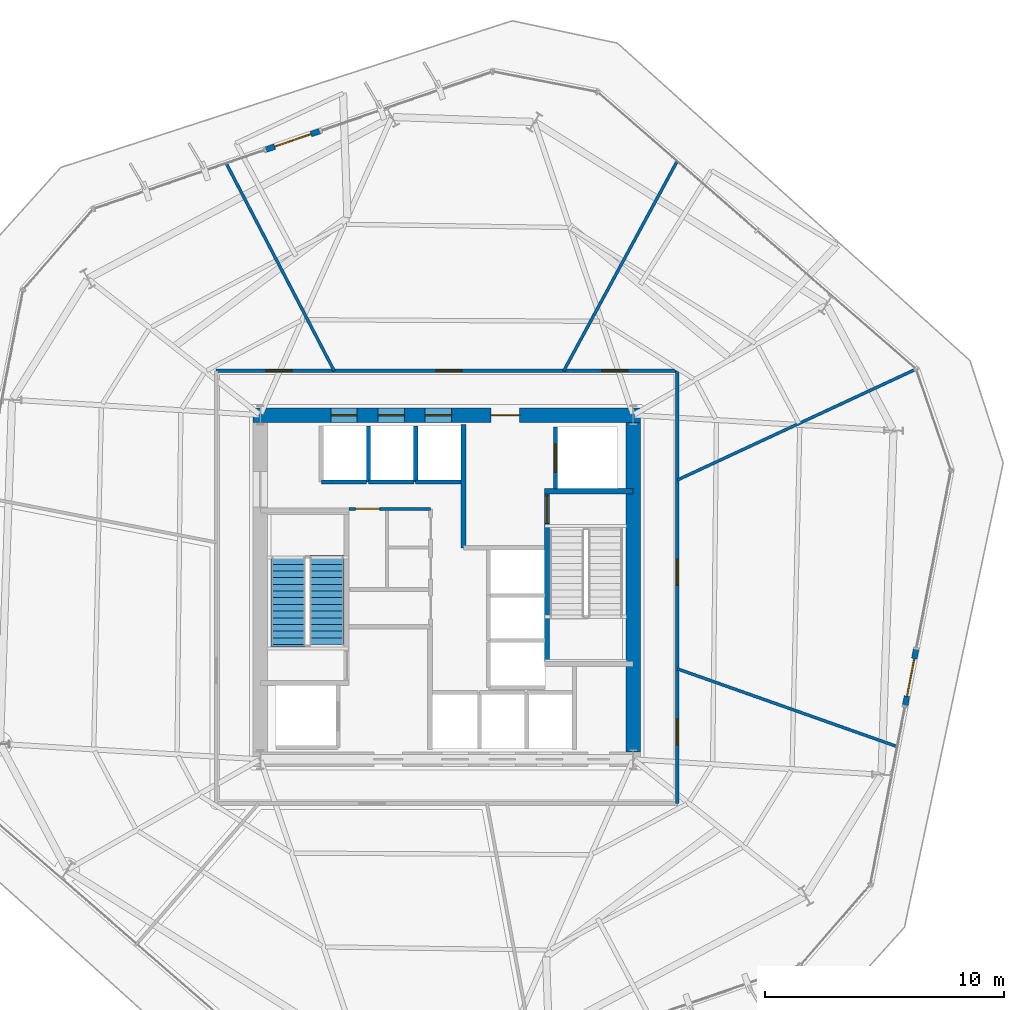
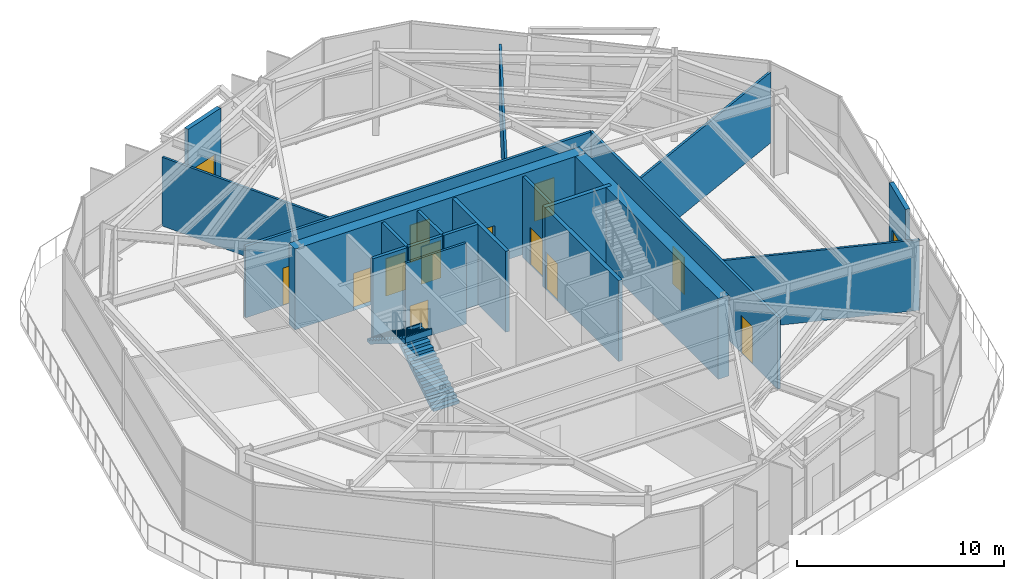
# One storey, part 10 of 16: 20 walls, 14 doors, 2 stair flights, 14 openings, 1 element without a shape of its own.
"""IFC4 building model written with IfcOpenShell, lengths in metres."""

from ifc_helpers import new_model, si_unit, direction, frame, frame_2d, origin, place, context, subcontext, project, spatial, polyline, rectangle, outline, extrude, material, layer, layer_set, type_object, element, fill, aggregate, save


model = new_model("IFC4")

# Units and contexts
model_context = context("Model", 3, precision=1e-05, world=origin(), true_north=direction((0.0, 1.0)))
body_context = subcontext(model_context, "Body", "Model", "MODEL_VIEW")
ifc_project = project(units=[si_unit("LENGTHUNIT", "METRE"), si_unit("AREAUNIT", "SQUARE_METRE"), si_unit("VOLUMEUNIT", "CUBIC_METRE"), si_unit("PLANEANGLEUNIT", "RADIAN"), si_unit("MASSUNIT", "GRAM", prefix="KILO")], contexts=[model_context])

# Site, building, storey
site_placement = place(None, origin())
site = spatial("IfcSite", under=ifc_project, at=site_placement, CompositionType="ELEMENT")
building_placement = place(site_placement, origin())
building = spatial("IfcBuilding", under=site, at=building_placement, Name="Kranzbogen Civic Tower", CompositionType="ELEMENT")
storey_placement = place(building_placement, frame((0.0, 0.0, 97.39990234375)))
storey = spatial("IfcBuildingStorey", under=building, at=storey_placement, Name="L23", CompositionType="ELEMENT", Elevation=97.39990234375)

# Wall, openings, doors
ifc_material_1 = material(Name="Double-Stud Acoustic Gypsum Partition")
ifc_layer_1 = layer(ifc_material_1, 0.14990234375, Name="Double-Stud Acoustic Gypsum Partition")
ifc_layer_set_1 = layer_set([ifc_layer_1], Name="Double-Stud Acoustic Gypsum Partition")
wall_type_1 = type_object("IfcWallType", Name="Acoustic Corridor and Clinical Partition 150 mm", PredefinedType="PARTITIONING", material=ifc_layer_set_1)
wall_1_placement = place(storey_placement, frame((15.35009765625, 34.050048828125, 0.0), z_axis=(0.0, 0.0, 1.0), x_axis=(1.0, 0.0, 0.0)))
wall_1 = element("IfcWall", 1, at=wall_1_placement, inside=storey, type_object=wall_type_1, Name="L23 corridor partition 01", PredefinedType="PARTITIONING", context=body_context, shape_type="SweptSolid", body=[
    extrude(rectangle(XDim=19.2998046875, YDim=0.14990234375, at=frame_2d((9.64990234375, 0.0))), origin(), (0.0, 0.0, 1.0), 4.210205078125),
])
opening_1_placement = place(wall_1_placement, frame((16.1240234375, 0.0, 0.0)))
opening_1 = element("IfcOpeningElement", 2, at=opening_1_placement, cuts=wall_1, Name="Opening D-COR60", PredefinedType="OPENING", context=body_context, shape_type="SweptSolid", body=[
    extrude(rectangle(XDim=1.10009765625, YDim=2.199951171875, at=frame_2d((0.550048828125, 1.10009765625))), frame((0.0, 0.0849609375, 0.0), z_axis=(0.0, -1.0, 0.0), x_axis=(1.0, 0.0, 0.0)), (0.0, 0.0, 1.0), 0.169921875),
])
opening_2_placement = place(wall_1_placement, frame((9.194091796875, 0.0, 0.0)))
opening_2 = element("IfcOpeningElement", 3, at=opening_2_placement, cuts=wall_1, Name="Opening D-COR60", PredefinedType="OPENING", context=body_context, shape_type="SweptSolid", body=[
    extrude(rectangle(XDim=1.10009765625, YDim=2.199951171875, at=frame_2d((0.550048828125, 1.10009765625))), frame((0.0, 0.0849609375, 0.0), z_axis=(0.0, -1.0, 0.0), x_axis=(1.0, 0.0, 0.0)), (0.0, 0.0, 1.0), 0.169921875),
])
opening_3_placement = place(wall_1_placement, frame((2.0830078125, 0.0, 0.0)))
opening_3 = element("IfcOpeningElement", 4, at=opening_3_placement, cuts=wall_1, Name="Opening D-COR60", PredefinedType="OPENING", context=body_context, shape_type="SweptSolid", body=[
    extrude(rectangle(XDim=1.10009765625, YDim=2.199951171875, at=frame_2d((0.550048828125, 1.10009765625))), frame((0.0, 0.0849609375, 0.0), z_axis=(0.0, -1.0, 0.0), x_axis=(1.0, 0.0, 0.0)), (0.0, 0.0, 1.0), 0.169921875),
])
ifc_material_2 = material(Name="Oak Timber and Fire Core", Category="wood")
door_type_1 = type_object("IfcDoorType", Name="Corridor Acoustic Fire Door 1100x2200", OperationType="NOTDEFINED", PredefinedType="DOOR", material=ifc_material_2)
door_1_placement = place(opening_1_placement, origin())
door_1 = element("IfcDoor", 5, at=door_1_placement, inside=storey, type_object=door_type_1, Name="L23 Municipal Exhibition Showroom door", OperationType="SINGLE_SWING_LEFT", OverallHeight=2.199951171875, OverallWidth=1.10009765625, PredefinedType="DOOR", context=body_context, shape_type="SweptSolid", body=[
    extrude(rectangle(XDim=1.10009765625, YDim=2.199951171875, at=frame_2d((0.550048828125, 1.10009765625))), frame((0.0, 0.02490234375, 0.0), z_axis=(0.0, -1.0, 0.0), x_axis=(1.0, 0.0, 0.0)), (0.0, 0.0, 1.0), 0.050048828125),
])
fill(opening_1, door_1)
door_2_placement = place(opening_2_placement, origin())
door_2 = element("IfcDoor", 6, at=door_2_placement, inside=storey, type_object=door_type_1, Name="L23 Licensing Information Kiosk door", OperationType="SINGLE_SWING_RIGHT", OverallHeight=2.199951171875, OverallWidth=1.10009765625, PredefinedType="DOOR", context=body_context, shape_type="SweptSolid", body=[
    extrude(rectangle(XDim=1.10009765625, YDim=2.199951171875, at=frame_2d((0.550048828125, 1.10009765625))), frame((0.0, 0.02490234375, 0.0), z_axis=(0.0, -1.0, 0.0), x_axis=(1.0, 0.0, 0.0)), (0.0, 0.0, 1.0), 0.050048828125),
])
fill(opening_2, door_2)
door_3_placement = place(opening_3_placement, origin())
door_3 = element("IfcDoor", 7, at=door_3_placement, inside=storey, type_object=door_type_1, Name="L23 Civic Reference Library door", OperationType="SINGLE_SWING_LEFT", OverallHeight=2.199951171875, OverallWidth=1.10009765625, PredefinedType="DOOR", context=body_context, shape_type="SweptSolid", body=[
    extrude(rectangle(XDim=1.10009765625, YDim=2.199951171875, at=frame_2d((0.550048828125, 1.10009765625))), frame((0.0, 0.02490234375, 0.0), z_axis=(0.0, -1.0, 0.0), x_axis=(1.0, 0.0, 0.0)), (0.0, 0.0, 1.0), 0.050048828125),
])
fill(opening_3, door_3)

wall_2_placement = place(storey_placement, frame((34.64990234375, 34.050048828125, 0.0), z_axis=(0.0, 0.0, 1.0), x_axis=(0.0, -1.0, 0.0)))
wall_2 = element("IfcWall", 8, at=wall_2_placement, inside=storey, type_object=wall_type_1, Name="L23 corridor partition 02", PredefinedType="PARTITIONING", context=body_context, shape_type="SweptSolid", body=[
    extrude(rectangle(XDim=18.10009765625, YDim=0.14990234375, at=frame_2d((9.050048828125, 0.0))), origin(), (0.0, 0.0, 1.0), 4.210205078125),
])
opening_4_placement = place(wall_2_placement, frame((14.56201171875, 0.0, 0.0)))
opening_4 = element("IfcOpeningElement", 9, at=opening_4_placement, cuts=wall_2, Name="Opening D-COR60", PredefinedType="OPENING", context=body_context, shape_type="SweptSolid", body=[
    extrude(rectangle(XDim=1.10009765625, YDim=2.199951171875, at=frame_2d((0.550048828125, 1.10009765625))), frame((0.0, 0.0849609375, 0.0), z_axis=(0.0, -1.0, 0.0), x_axis=(1.0, 0.0, 0.0)), (0.0, 0.0, 1.0), 0.169921875),
])
opening_5_placement = place(wall_2_placement, frame((7.8720703125, 0.0, 0.0)))
opening_5 = element("IfcOpeningElement", 10, at=opening_5_placement, cuts=wall_2, Name="Opening D-COR60", PredefinedType="OPENING", context=body_context, shape_type="SweptSolid", body=[
    extrude(rectangle(XDim=1.10009765625, YDim=2.199951171875, at=frame_2d((0.550048828125, 1.10009765625))), frame((0.0, 0.0849609375, 0.0), z_axis=(0.0, -1.0, 0.0), x_axis=(1.0, 0.0, 0.0)), (0.0, 0.0, 1.0), 0.169921875),
])
door_4_placement = place(opening_4_placement, origin())
door_4 = element("IfcDoor", 11, at=door_4_placement, inside=storey, type_object=door_type_1, Name="L23 Legal Counsel Office door", OperationType="SINGLE_SWING_LEFT", OverallHeight=2.199951171875, OverallWidth=1.10009765625, PredefinedType="DOOR", context=body_context, shape_type="SweptSolid", body=[
    extrude(rectangle(XDim=1.10009765625, YDim=2.199951171875, at=frame_2d((0.550048828125, 1.10009765625))), frame((0.0, 0.02490234375, 0.0), z_axis=(0.0, -1.0, 0.0), x_axis=(1.0, 0.0, 0.0)), (0.0, 0.0, 1.0), 0.050048828125),
])
fill(opening_4, door_4)
door_5_placement = place(opening_5_placement, origin())
door_5 = element("IfcDoor", 12, at=door_5_placement, inside=storey, type_object=door_type_1, Name="L23 Citizen Services Kiosk door", OperationType="SINGLE_SWING_RIGHT", OverallHeight=2.199951171875, OverallWidth=1.10009765625, PredefinedType="DOOR", context=body_context, shape_type="SweptSolid", body=[
    extrude(rectangle(XDim=1.10009765625, YDim=2.199951171875, at=frame_2d((0.550048828125, 1.10009765625))), frame((0.0, 0.02490234375, 0.0), z_axis=(0.0, -1.0, 0.0), x_axis=(1.0, 0.0, 0.0)), (0.0, 0.0, 1.0), 0.050048828125),
])
fill(opening_5, door_5)

# Wall, opening, door
ifc_material_3 = material(Name="Insulated Metal-Stud Gypsum Partition")
ifc_layer_2 = layer(ifc_material_3, 0.125, Name="Insulated Metal-Stud Gypsum Partition")
ifc_layer_set_2 = layer_set([ifc_layer_2], Name="Insulated Metal-Stud Gypsum Partition")
wall_type_2 = type_object("IfcWallType", Name="Acoustic Inter-Room Partition 125 mm", PredefinedType="PARTITIONING", material=ifc_layer_set_2)
wall_3_placement = place(storey_placement, frame((20.919921875, 28.280029296875, 0.0), z_axis=(0.0, 0.0, 1.0), x_axis=(1.0, 0.0, 0.0)))
wall_3 = element("IfcWall", 13, at=wall_3_placement, inside=storey, type_object=wall_type_2, Name="L23 core auxiliary North wall", PredefinedType="PARTITIONING", context=body_context, shape_type="SweptSolid", body=[
    extrude(rectangle(XDim=3.405029296875, YDim=0.125, at=frame_2d((1.70263671875, 0.0))), origin(), (0.0, 0.0, 1.0), 4.760009765625),
])
opening_6_placement = place(wall_3_placement, frame((0.27001953125, 0.0, 0.0)))
opening_6 = element("IfcOpeningElement", 14, at=opening_6_placement, cuts=wall_3, Name="Opening D-RSR10", PredefinedType="OPENING", context=body_context, shape_type="SweptSolid", body=[
    extrude(rectangle(XDim=1.0, YDim=2.14990234375, at=frame_2d((0.5, 1.074951171875))), frame((0.0, 0.072509765625, 0.0), z_axis=(0.0, -1.0, 0.0), x_axis=(1.0, 0.0, 0.0)), (0.0, 0.0, 1.0), 0.14501953125),
])
door_type_2 = type_object("IfcDoorType", Name="Core Archive and Riser Fire Door 1000x2150", OperationType="NOTDEFINED", PredefinedType="DOOR", material=ifc_material_2)
door_6_placement = place(opening_6_placement, origin())
door_6 = element("IfcDoor", 15, at=door_6_placement, inside=storey, type_object=door_type_2, Name="L23 Floor Supply Store door", OperationType="SINGLE_SWING_LEFT", OverallHeight=2.14990234375, OverallWidth=1.0, PredefinedType="DOOR", context=body_context, shape_type="SweptSolid", body=[
    extrude(rectangle(XDim=1.0, YDim=2.14990234375, at=frame_2d((0.5, 1.074951171875))), frame((0.0, 0.02490234375, 0.0), z_axis=(0.0, -1.0, 0.0), x_axis=(1.0, 0.0, 0.0)), (0.0, 0.0, 1.0), 0.050048828125),
])
fill(opening_6, door_6)

# Walls
wall_4_placement = place(storey_placement, frame((29.89501953125, 34.050048828125, 0.0), z_axis=(0.0, 0.0, 1.0), x_axis=(0.475710951227, 0.87960166603, 0.0)))
element("IfcWall", 16, at=wall_4_placement, inside=storey, type_object=wall_type_2, Name="L23 radial room partition 01", PredefinedType="PARTITIONING", context=body_context, shape_type="SweptSolid", body=[
    extrude(rectangle(XDim=9.953125, YDim=0.125, at=frame_2d((4.9765625, 0.0))), origin(), (0.0, 0.0, 1.0), 4.02001953125),
])
wall_5_placement = place(storey_placement, frame((20.291015625, 34.050048828125, 0.0), z_axis=(0.0, 0.0, 1.0), x_axis=(-0.461526576331, 0.887126382958, 0.0)))
element("IfcWall", 17, at=wall_5_placement, inside=storey, type_object=wall_type_2, Name="L23 radial room partition 02", PredefinedType="PARTITIONING", context=body_context, shape_type="SweptSolid", body=[
    extrude(rectangle(XDim=9.77197265625, YDim=0.125, at=frame_2d((4.885986328125, 0.0))), origin(), (0.0, 0.0, 1.0), 4.050048828125),
])
wall_6_placement = place(storey_placement, frame((34.64990234375, 21.5849609375, 0.0), z_axis=(0.0, 0.0, 1.0), x_axis=(0.94273270397, -0.333549170087, 0.0)))
element("IfcWall", 18, at=wall_6_placement, inside=storey, type_object=wall_type_2, Name="L23 radial room partition 06", PredefinedType="PARTITIONING", context=body_context, shape_type="SweptSolid", body=[
    extrude(rectangle(XDim=9.73779296875, YDim=0.125, at=frame_2d((4.868896484375, 0.0))), origin(), (0.0, 0.0, 1.0), 4.16015625),
])
wall_7_placement = place(storey_placement, frame((34.64990234375, 29.485107421875, 0.0), z_axis=(0.0, 0.0, 1.0), x_axis=(0.90687505581, 0.421399612184, 0.0)))
element("IfcWall", 19, at=wall_7_placement, inside=storey, type_object=wall_type_2, Name="L23 radial room partition 07", PredefinedType="PARTITIONING", context=body_context, shape_type="SweptSolid", body=[
    extrude(rectangle(XDim=10.99609375, YDim=0.125, at=frame_2d((5.498046875, 0.0))), origin(), (0.0, 0.0, 1.0), 4.16015625),
])

# Wall, openings, doors
ifc_material_4 = material(Name="Concrete C55/67", Category="concrete")
ifc_layer_3 = layer(ifc_material_4, 0.60009765625, Name="Concrete C55/67")
ifc_layer_set_3 = layer_set([ifc_layer_3], Name="Concrete C55/67")
wall_type_3 = type_object("IfcWallType", Name="Central Core Shear Wall 600 mm", PredefinedType="SHEAR", material=ifc_layer_set_3)
wall_8_placement = place(storey_placement, frame((33.10009765625, 32.199951171875, 0.0), z_axis=(0.0, 0.0, 1.0), x_axis=(-1.0, 0.0, 0.0)))
wall_8 = element("IfcWall", 20, at=wall_8_placement, inside=storey, type_object=wall_type_3, Name="L23 central core North shear wall", PredefinedType="SHEAR", context=body_context, shape_type="SweptSolid", body=[
    extrude(rectangle(XDim=16.2001953125, YDim=0.60009765625, at=frame_2d((8.10009765625, 0.0))), origin(), (0.0, 0.0, 1.0), 4.760009765625),
])
opening_7_placement = place(wall_8_placement, frame((5.050048828125, 0.0, 0.0)))
opening_7 = element("IfcOpeningElement", 21, at=opening_7_placement, cuts=wall_8, Name="Opening D-EX120", PredefinedType="OPENING", context=body_context, shape_type="SweptSolid", body=[
    extrude(rectangle(XDim=1.199951171875, YDim=2.25, at=frame_2d((0.60009765625, 1.125))), frame((0.0, 0.31005859375, 0.0), z_axis=(0.0, -1.0, 0.0), x_axis=(1.0, 0.0, 0.0)), (0.0, 0.0, 1.0), 0.6201171875),
])
opening_8_placement = place(wall_8_placement, frame((11.85009765625, 0.0, 0.0)))
opening_8 = element("IfcOpeningElement", 22, at=opening_8_placement, cuts=wall_8, Name="Opening LD-MP-01", PredefinedType="OPENING", context=body_context, shape_type="SweptSolid", body=[
    extrude(rectangle(XDim=1.10009765625, YDim=2.199951171875, at=frame_2d((0.550048828125, 1.10009765625))), frame((0.0, 0.31005859375, 0.0), z_axis=(0.0, -1.0, 0.0), x_axis=(1.0, 0.0, 0.0)), (0.0, 0.0, 1.0), 0.6201171875),
])
opening_9_placement = place(wall_8_placement, frame((9.875, 0.0, 0.0)))
opening_9 = element("IfcOpeningElement", 23, at=opening_9_placement, cuts=wall_8, Name="Opening LD-MP-02", PredefinedType="OPENING", context=body_context, shape_type="SweptSolid", body=[
    extrude(rectangle(XDim=1.10009765625, YDim=2.199951171875, at=frame_2d((0.550048828125, 1.10009765625))), frame((0.0, 0.31005859375, 0.0), z_axis=(0.0, -1.0, 0.0), x_axis=(1.0, 0.0, 0.0)), (0.0, 0.0, 1.0), 0.6201171875),
])
opening_10_placement = place(wall_8_placement, frame((7.89990234375, 0.0, 0.0)))
opening_10 = element("IfcOpeningElement", 24, at=opening_10_placement, cuts=wall_8, Name="Opening LD-MP-03", PredefinedType="OPENING", context=body_context, shape_type="SweptSolid", body=[
    extrude(rectangle(XDim=1.10009765625, YDim=2.199951171875, at=frame_2d((0.550048828125, 1.10009765625))), frame((0.0, 0.31005859375, 0.0), z_axis=(0.0, -1.0, 0.0), x_axis=(1.0, 0.0, 0.0)), (0.0, 0.0, 1.0), 0.6201171875),
])
ifc_material_5 = material(Name="Steel S355", Category="steel")
door_type_3 = type_object("IfcDoorType", Name="Exit Passageway Fire Door 1200x2250", OperationType="NOTDEFINED", PredefinedType="DOOR", material=ifc_material_5)
door_7_placement = place(opening_7_placement, origin())
door_7 = element("IfcDoor", 25, at=door_7_placement, inside=storey, type_object=door_type_3, Name="L23 East firefighting lobby corridor door", OperationType="SINGLE_SWING_LEFT", OverallHeight=2.25, OverallWidth=1.199951171875, PredefinedType="DOOR", context=body_context, shape_type="SweptSolid", body=[
    extrude(rectangle(XDim=1.199951171875, YDim=2.25, at=frame_2d((0.60009765625, 1.125))), frame((0.0, 0.02490234375, 0.0), z_axis=(0.0, -1.0, 0.0), x_axis=(1.0, 0.0, 0.0)), (0.0, 0.0, 1.0), 0.050048828125),
])
fill(opening_7, door_7)
ifc_material_6 = material(Name="Pale Anodised Aluminium", Category="aluminium")
door_type_4 = type_object("IfcDoorType", Name="Passenger Lift Sliding Landing Door 1100x2200", OperationType="DOUBLE_DOOR_SLIDING", PredefinedType="DOOR", material=ifc_material_6)
door_8_placement = place(opening_8_placement, origin())
door_8 = element("IfcDoor", 26, at=door_8_placement, inside=storey, type_object=door_type_4, Name="L23 lift MP-01 sliding landing door", OperationType="DOUBLE_DOOR_SLIDING", OverallHeight=2.199951171875, OverallWidth=1.10009765625, PredefinedType="DOOR", context=body_context, shape_type="SweptSolid", body=[
    extrude(rectangle(XDim=1.10009765625, YDim=2.199951171875, at=frame_2d((0.550048828125, 1.10009765625))), frame((0.0, 0.02490234375, 0.0), z_axis=(0.0, -1.0, 0.0), x_axis=(1.0, 0.0, 0.0)), (0.0, 0.0, 1.0), 0.050048828125),
])
fill(opening_8, door_8)
door_9_placement = place(opening_9_placement, origin())
door_9 = element("IfcDoor", 27, at=door_9_placement, inside=storey, type_object=door_type_4, Name="L23 lift MP-02 sliding landing door", OperationType="DOUBLE_DOOR_SLIDING", OverallHeight=2.199951171875, OverallWidth=1.10009765625, PredefinedType="DOOR", context=body_context, shape_type="SweptSolid", body=[
    extrude(rectangle(XDim=1.10009765625, YDim=2.199951171875, at=frame_2d((0.550048828125, 1.10009765625))), frame((0.0, 0.02490234375, 0.0), z_axis=(0.0, -1.0, 0.0), x_axis=(1.0, 0.0, 0.0)), (0.0, 0.0, 1.0), 0.050048828125),
])
fill(opening_9, door_9)
door_10_placement = place(opening_10_placement, origin())
door_10 = element("IfcDoor", 28, at=door_10_placement, inside=storey, type_object=door_type_4, Name="L23 lift MP-03 sliding landing door", OperationType="DOUBLE_DOOR_SLIDING", OverallHeight=2.199951171875, OverallWidth=1.10009765625, PredefinedType="DOOR", context=body_context, shape_type="SweptSolid", body=[
    extrude(rectangle(XDim=1.10009765625, YDim=2.199951171875, at=frame_2d((0.550048828125, 1.10009765625))), frame((0.0, 0.02490234375, 0.0), z_axis=(0.0, -1.0, 0.0), x_axis=(1.0, 0.0, 0.0)), (0.0, 0.0, 1.0), 0.050048828125),
])
fill(opening_10, door_10)

# Wall
wall_9_placement = place(storey_placement, frame((32.800048828125, 18.10009765625, 0.0), z_axis=(0.0, 0.0, 1.0), x_axis=(0.0, 1.0, 0.0)))
element("IfcWall", 29, at=wall_9_placement, inside=storey, type_object=wall_type_3, Name="L23 central core East shear wall", PredefinedType="SHEAR", context=body_context, shape_type="SweptSolid", body=[
    extrude(rectangle(XDim=13.7998046875, YDim=0.60009765625, at=frame_2d((6.89990234375, 0.0))), origin(), (0.0, 0.0, 1.0), 4.760009765625),
])

# Wall, opening, door
ifc_material_7 = material(Name="Concrete C45/55", Category="concrete")
ifc_layer_4 = layer(ifc_material_7, 0.219970703125, Name="Concrete C45/55")
ifc_layer_set_4 = layer_set([ifc_layer_4], Name="Concrete C45/55")
wall_type_4 = type_object("IfcWallType", Name="Core Internal Stair Structural Wall 220 mm", PredefinedType="SOLIDWALL", material=ifc_layer_set_4)
wall_10_placement = place(storey_placement, frame((29.18994140625, 21.7900390625, 0.0), z_axis=(0.0, 0.0, 1.0), x_axis=(0.0, 1.0, 0.0)))
wall_10 = element("IfcWall", 30, at=wall_10_placement, inside=storey, type_object=wall_type_4, Name="L23 ST-T2 West structural stair wall", PredefinedType="SOLIDWALL", context=body_context, shape_type="SweptSolid", body=[
    extrude(rectangle(XDim=7.219970703125, YDim=0.219970703125, at=frame_2d((3.60986328125, 0.0))), origin(), (0.0, 0.0, 1.0), 4.760009765625),
])
opening_11_placement = place(wall_10_placement, frame((5.8798828125, 0.0, 0.0)))
opening_11 = element("IfcOpeningElement", 31, at=opening_11_placement, cuts=wall_10, Name="Opening D-ST90", PredefinedType="OPENING", context=body_context, shape_type="SweptSolid", body=[
    extrude(rectangle(XDim=1.14990234375, YDim=2.199951171875, at=frame_2d((0.574951171875, 1.10009765625))), frame((0.0, 0.1201171875, 0.0), z_axis=(0.0, -1.0, 0.0), x_axis=(1.0, 0.0, 0.0)), (0.0, 0.0, 1.0), 0.239990234375),
])
door_type_5 = type_object("IfcDoorType", Name="Pressurized Stair and Lobby Fire Door 1150x2200", OperationType="NOTDEFINED", PredefinedType="DOOR", material=ifc_material_5)
door_11_placement = place(opening_11_placement, origin())
door_11 = element("IfcDoor", 32, at=door_11_placement, inside=storey, type_object=door_type_5, Name="L23 Stair ST-T2 fire door", OperationType="SINGLE_SWING_LEFT", OverallHeight=2.199951171875, OverallWidth=1.14990234375, PredefinedType="DOOR", context=body_context, shape_type="SweptSolid", body=[
    extrude(rectangle(XDim=1.14990234375, YDim=2.199951171875, at=frame_2d((0.574951171875, 1.10009765625))), frame((0.0, 0.02490234375, 0.0), z_axis=(0.0, -1.0, 0.0), x_axis=(1.0, 0.0, 0.0)), (0.0, 0.0, 1.0), 0.050048828125),
])
fill(opening_11, door_11)

# Walls
wall_11_placement = place(storey_placement, frame((29.080078125, 29.010009765625, 0.0), z_axis=(0.0, 0.0, 1.0), x_axis=(1.0, 0.0, 0.0)))
element("IfcWall", 33, at=wall_11_placement, inside=storey, type_object=wall_type_4, Name="L23 ST-T2 North structural stair wall", PredefinedType="SOLIDWALL", context=body_context, shape_type="SweptSolid", body=[
    extrude(rectangle(XDim=3.719970703125, YDim=0.219970703125, at=frame_2d((1.85986328125, 0.0))), origin(), (0.0, 0.0, 1.0), 4.760009765625),
])
ifc_material_8 = material(Name="Gypsum Fireboard and Concrete Block", Category="concrete")
ifc_layer_5 = layer(ifc_material_8, 0.199951171875, Name="Gypsum Fireboard and Concrete Block")
ifc_layer_set_5 = layer_set([ifc_layer_5], Name="Gypsum Fireboard and Concrete Block")
wall_type_5 = type_object("IfcWallType", Name="Fire-Rated Exit Passageway and Stair Wall 200 mm", PredefinedType="PARTITIONING", material=ifc_layer_set_5)
wall_12_placement = place(storey_placement, frame((25.699951171875, 26.64990234375, 0.0), z_axis=(0.0, 0.0, 1.0), x_axis=(0.0, 1.0, 0.0)))
element("IfcWall", 34, at=wall_12_placement, inside=storey, type_object=wall_type_5, Name="L23 East firefighting lobby West wall", PredefinedType="PARTITIONING", context=body_context, shape_type="SweptSolid", body=[
    extrude(rectangle(XDim=5.150146484375, YDim=0.199951171875, at=frame_2d((2.5751953125, 0.0))), origin(), (0.0, 0.0, 1.0), 4.760009765625),
])
ifc_material_9 = material(Name="Gypsum Fireboard Shaftliner")
ifc_layer_6 = layer(ifc_material_9, 0.175048828125, Name="Gypsum Fireboard Shaftliner")
ifc_layer_set_6 = layer_set([ifc_layer_6], Name="Gypsum Fireboard Shaftliner")
wall_type_6 = type_object("IfcWallType", Name="Fire-Rated Lift and Service Shaft Wall 175 mm", PredefinedType="PARTITIONING", material=ifc_layer_set_6)
for number, where, z_axis, x_axis, name in (
    (35, (19.75, 29.39990234375, 0.0), (0.0, 0.0, 1.0), (1.0, 0.0, 0.0), "L23 lift MP-01 rear wall"),
    (36, (21.72509765625, 29.39990234375, 0.0), (0.0, 0.0, 1.0), (1.0, 0.0, 0.0), "L23 lift MP-02 rear wall"),
):
    element("IfcWall", number, at=place(storey_placement, frame(where, z_axis=z_axis, x_axis=x_axis)), inside=storey, type_object=wall_type_6, Name=name, PredefinedType="PARTITIONING", context=body_context, shape_type="SweptSolid", body=[
        extrude(rectangle(XDim=1.89990234375, YDim=0.175048828125, at=frame_2d((0.949951171875, 0.0))), origin(), (0.0, 0.0, 1.0), 4.760009765625),
    ])
wall_13_placement = place(storey_placement, frame((21.72509765625, 29.39990234375, 0.0), z_axis=(0.0, 0.0, 1.0), x_axis=(0.0, 1.0, 0.0)))
element("IfcWall", 37, at=wall_13_placement, inside=storey, type_object=wall_type_6, Name="L23 lift MP-02 side wall", PredefinedType="PARTITIONING", context=body_context, shape_type="SweptSolid", body=[
    extrude(rectangle(XDim=2.35009765625, YDim=0.175048828125, at=frame_2d((1.175048828125, 0.0))), origin(), (0.0, 0.0, 1.0), 4.760009765625),
])
wall_14_placement = place(storey_placement, frame((23.699951171875, 29.39990234375, 0.0), z_axis=(0.0, 0.0, 1.0), x_axis=(1.0, 0.0, 0.0)))
element("IfcWall", 38, at=wall_14_placement, inside=storey, type_object=wall_type_6, Name="L23 lift MP-03 rear wall", PredefinedType="PARTITIONING", context=body_context, shape_type="SweptSolid", body=[
    extrude(rectangle(XDim=1.900146484375, YDim=0.175048828125, at=frame_2d((0.9501953125, 0.0))), origin(), (0.0, 0.0, 1.0), 4.760009765625),
])
wall_15_placement = place(storey_placement, frame((23.699951171875, 29.39990234375, 0.0), z_axis=(0.0, 0.0, 1.0), x_axis=(0.0, 1.0, 0.0)))
element("IfcWall", 39, at=wall_15_placement, inside=storey, type_object=wall_type_6, Name="L23 lift MP-03 side wall", PredefinedType="PARTITIONING", context=body_context, shape_type="SweptSolid", body=[
    extrude(rectangle(XDim=2.35009765625, YDim=0.175048828125, at=frame_2d((1.175048828125, 0.0))), origin(), (0.0, 0.0, 1.0), 4.760009765625),
])

# Wall, opening, door
wall_16_placement = place(storey_placement, frame((29.550048828125, 29.10009765625, 0.0), z_axis=(0.0, 0.0, 1.0), x_axis=(0.0, 1.0, 0.0)))
wall_16 = element("IfcWall", 40, at=wall_16_placement, inside=storey, type_object=wall_type_6, Name="L23 lift FF-02 landing wall", PredefinedType="PARTITIONING", context=body_context, shape_type="SweptSolid", body=[
    extrude(rectangle(XDim=2.599853515625, YDim=0.175048828125, at=frame_2d((1.2998046875, 0.0))), origin(), (0.0, 0.0, 1.0), 4.760009765625),
])
opening_12_placement = place(wall_16_placement, frame((0.699951171875, 0.0, 0.0)))
opening_12 = element("IfcOpeningElement", 41, at=opening_12_placement, cuts=wall_16, Name="Opening LD-FF-02", PredefinedType="OPENING", context=body_context, shape_type="SweptSolid", body=[
    extrude(rectangle(XDim=1.199951171875, YDim=2.199951171875, at=frame_2d((0.60009765625, 1.10009765625))), frame((0.0, 0.09765625, 0.0), z_axis=(0.0, -1.0, 0.0), x_axis=(1.0, 0.0, 0.0)), (0.0, 0.0, 1.0), 0.195068359375),
])
door_type_6 = type_object("IfcDoorType", Name="Firefighting and Stretcher Lift Sliding Landing Door 1200x2200", OperationType="DOUBLE_DOOR_SLIDING", PredefinedType="DOOR", material=ifc_material_6)
door_12_placement = place(opening_12_placement, origin())
door_12 = element("IfcDoor", 42, at=door_12_placement, inside=storey, type_object=door_type_6, Name="L23 lift FF-02 sliding landing door", OperationType="DOUBLE_DOOR_SLIDING", OverallHeight=2.199951171875, OverallWidth=1.199951171875, PredefinedType="DOOR", context=body_context, shape_type="SweptSolid", body=[
    extrude(rectangle(XDim=1.199951171875, YDim=2.199951171875, at=frame_2d((0.60009765625, 1.10009765625))), frame((0.0, 0.02490234375, 0.0), z_axis=(0.0, -1.0, 0.0), x_axis=(1.0, 0.0, 0.0)), (0.0, 0.0, 1.0), 0.050048828125),
])
fill(opening_12, door_12)

ifc_layer_7 = layer(ifc_material_6, 0.239990234375, Name="Pale Anodised Aluminium")
ifc_layer_set_7 = layer_set([ifc_layer_7], Name="Pale Anodised Aluminium")
wall_type_7 = type_object("IfcWallType", Name="Insulated Aluminium Facade Portal Wall 240 mm", PredefinedType="STANDARD", material=ifc_layer_set_7)
wall_17_placement = place(storey_placement, frame((19.697021484375, 44.0859375, 0.0), z_axis=(0.0, 0.0, 1.0), x_axis=(-0.945555551181, -0.325460749755, 0.0)))
wall_17 = element("IfcWall", 43, at=wall_17_placement, inside=storey, type_object=wall_type_7, Name="L23 exterior entrance portal wall 1", PredefinedType="STANDARD", context=body_context, shape_type="SweptSolid", body=[
    extrude(rectangle(XDim=2.399658203125, YDim=0.239990234375, at=frame_2d((1.19970703125, 0.0))), origin(), (0.0, 0.0, 1.0), 4.760009765625),
])
opening_13_placement = place(wall_17_placement, frame((0.39990234375, 0.0, 0.0)))
opening_13 = element("IfcOpeningElement", 44, at=opening_13_placement, cuts=wall_17, Name="Opening D-TER", PredefinedType="OPENING", context=body_context, shape_type="SweptSolid", body=[
    extrude(rectangle(XDim=1.60009765625, YDim=2.25, at=frame_2d((0.800048828125, 1.125))), frame((0.0, 0.1298828125, 0.0), z_axis=(0.0, -1.0, 0.0), x_axis=(1.0, 0.0, 0.0)), (0.0, 0.0, 1.0), 0.260009765625),
])
ifc_material_10 = material(Name="Anodised Bronze and Triple Glass", Category="glass")
door_type_7 = type_object("IfcDoorType", Name="Glazed Terrace and Balcony Double Door 1600x2250", OperationType="DOUBLE_DOOR_SINGLE_SWING", PredefinedType="DOOR", material=ifc_material_10)
door_13_placement = place(opening_13_placement, frame((1.60009765625, 0.0, 0.0), z_axis=(0.0, 0.0, 1.0), x_axis=(-1.0, 0.0, 0.0)))
door_13 = element("IfcDoor", 45, at=door_13_placement, inside=storey, type_object=door_type_7, Name="L23 tree balcony access door L23-TB1", OperationType="DOUBLE_DOOR_SINGLE_SWING", OverallHeight=2.25, OverallWidth=1.60009765625, PredefinedType="DOOR", context=body_context, shape_type="SweptSolid", body=[
    extrude(rectangle(XDim=1.60009765625, YDim=2.25, at=frame_2d((0.800048828125, 1.125))), frame((0.0, 0.02490234375, 0.0), z_axis=(0.0, -1.0, 0.0), x_axis=(1.0, 0.0, 0.0)), (0.0, 0.0, 1.0), 0.050048828125),
])
fill(opening_13, door_13)

wall_18_placement = place(storey_placement, frame((44.179931640625, 20.049072265625, 0.0), z_axis=(0.0, 0.0, 1.0), x_axis=(0.190831541356, 0.981622800685, 0.0)))
wall_18 = element("IfcWall", 46, at=wall_18_placement, inside=storey, type_object=wall_type_7, Name="L23 exterior entrance portal wall 1", PredefinedType="STANDARD", context=body_context, shape_type="SweptSolid", body=[
    extrude(rectangle(XDim=2.400146484375, YDim=0.239990234375, at=frame_2d((1.2001953125, 0.0))), origin(), (0.0, 0.0, 1.0), 4.760009765625),
])
opening_14_placement = place(wall_18_placement, frame((0.39990234375, 0.0, 0.0)))
opening_14 = element("IfcOpeningElement", 47, at=opening_14_placement, cuts=wall_18, Name="Opening D-TER", PredefinedType="OPENING", context=body_context, shape_type="SweptSolid", body=[
    extrude(rectangle(XDim=1.60009765625, YDim=2.25, at=frame_2d((0.800048828125, 1.125))), frame((0.0, 0.1298828125, 0.0), z_axis=(0.0, -1.0, 0.0), x_axis=(1.0, 0.0, 0.0)), (0.0, 0.0, 1.0), 0.260009765625),
])
door_14_placement = place(opening_14_placement, frame((1.60009765625, 0.0, 0.0), z_axis=(0.0, 0.0, 1.0), x_axis=(-1.0, 0.0, 0.0)))
door_14 = element("IfcDoor", 48, at=door_14_placement, inside=storey, type_object=door_type_7, Name="L23 spiral terrace access door L23-ST", OperationType="DOUBLE_DOOR_SINGLE_SWING", OverallHeight=2.25, OverallWidth=1.60009765625, PredefinedType="DOOR", context=body_context, shape_type="SweptSolid", body=[
    extrude(rectangle(XDim=1.60009765625, YDim=2.25, at=frame_2d((0.800048828125, 1.125))), frame((0.0, 0.02490234375, 0.0), z_axis=(0.0, -1.0, 0.0), x_axis=(1.0, 0.0, 0.0)), (0.0, 0.0, 1.0), 0.050048828125),
])
fill(opening_14, door_14)

# Stair, stair flights
ifc_material_11 = material(Name="Precast concrete C40/50", Category="concrete")
stair_type = type_object("IfcStairType", Name="Tower Core Pressurized Dogleg Stair 1450", PredefinedType="HALF_TURN_STAIR", material=ifc_material_11)
stair_placement = place(storey_placement, origin())
stair = element("IfcStair", 49, at=stair_placement, inside=storey, type_object=stair_type, Name="L23 Tower Core Pressurized Stair 1", PredefinedType="HALF_TURN_STAIR")
stair_flight_type = type_object("IfcStairFlightType", Name="Precast Concrete Stair Flight R179", PredefinedType="STRAIGHT", material=ifc_material_11)
stair_flight_1_placement = place(storey_placement, frame((19.97509765625, 22.60009765625, 0.0), z_axis=(0.0, 0.0, 1.0), x_axis=(0.0, 1.0, 0.0)))
stair_flight_1 = element("IfcStairFlight", 50, at=stair_flight_1_placement, type_object=stair_flight_type, Name="ST-T1 flight 1", NumberOfRisers=14, NumberOfTreads=13, PredefinedType="STRAIGHT", RiserHeight=0.178571429, TreadLength=0.28, context=body_context, shape_type="SweptSolid", body=[
    extrude(outline(polyline([(0.0, 0.0), (0.0, 0.178466796875), (0.280029296875, 0.178466796875), (0.280029296875, 0.357177734375), (0.56005859375, 0.357177734375), (0.56005859375, 0.53564453125), (0.840087890625, 0.53564453125), (0.840087890625, 0.71435546875), (1.1201171875, 0.71435546875), (1.1201171875, 0.892822265625), (1.39990234375, 0.892822265625), (1.39990234375, 1.071533203125), (1.679931640625, 1.071533203125), (1.679931640625, 1.25), (1.9599609375, 1.25), (1.9599609375, 1.428466796875), (2.239990234375, 1.428466796875), (2.239990234375, 1.607177734375), (2.52001953125, 1.607177734375), (2.52001953125, 1.78564453125), (2.800048828125, 1.78564453125), (2.800048828125, 1.96435546875), (3.080078125, 1.96435546875), (3.080078125, 2.142822265625), (3.360107421875, 2.142822265625), (3.360107421875, 2.321533203125), (3.639892578125, 2.321533203125), (3.639892578125, 2.5), (3.719970703125, 2.5), (3.719970703125, 2.1435546875), (0.27880859375, 0.0), (0.0, 0.0)])), frame((0.0, 0.72509765625, 0.0), z_axis=(0.0, -1.0, 0.0), x_axis=(1.0, 0.0, 0.0)), (0.0, 0.0, 1.0), 1.449951171875),
])
stair_flight_2_placement = place(storey_placement, frame((18.375, 26.239990234375, 2.5), z_axis=(0.0, 0.0, 1.0), x_axis=(0.0, -1.0, 0.0)))
stair_flight_2 = element("IfcStairFlight", 51, at=stair_flight_2_placement, type_object=stair_flight_type, Name="ST-T1 flight 2", NumberOfRisers=14, NumberOfTreads=13, PredefinedType="STRAIGHT", RiserHeight=0.178571429, TreadLength=0.28, context=body_context, shape_type="SweptSolid", body=[
    extrude(outline(polyline([(0.0, 0.0), (0.0, 0.178466796875), (0.280029296875, 0.178466796875), (0.280029296875, 0.357177734375), (0.56005859375, 0.357177734375), (0.56005859375, 0.53564453125), (0.840087890625, 0.53564453125), (0.840087890625, 0.71435546875), (1.1201171875, 0.71435546875), (1.1201171875, 0.892822265625), (1.39990234375, 0.892822265625), (1.39990234375, 1.071533203125), (1.679931640625, 1.071533203125), (1.679931640625, 1.25), (1.9599609375, 1.25), (1.9599609375, 1.428466796875), (2.239990234375, 1.428466796875), (2.239990234375, 1.607177734375), (2.52001953125, 1.607177734375), (2.52001953125, 1.78564453125), (2.800048828125, 1.78564453125), (2.800048828125, 1.96435546875), (3.080078125, 1.96435546875), (3.080078125, 2.142822265625), (3.360107421875, 2.142822265625), (3.360107421875, 2.321533203125), (3.639892578125, 2.321533203125), (3.639892578125, 2.5), (3.719970703125, 2.5), (3.719970703125, 2.1435546875), (0.27880859375, 0.0), (0.0, 0.0)])), frame((0.0, 0.72509765625, 0.0), z_axis=(0.0, -1.0, 0.0), x_axis=(1.0, 0.0, 0.0)), (0.0, 0.0, 1.0), 1.449951171875),
])
aggregate(stair, [stair_flight_1, stair_flight_2])

save(model, "model.ifc")
